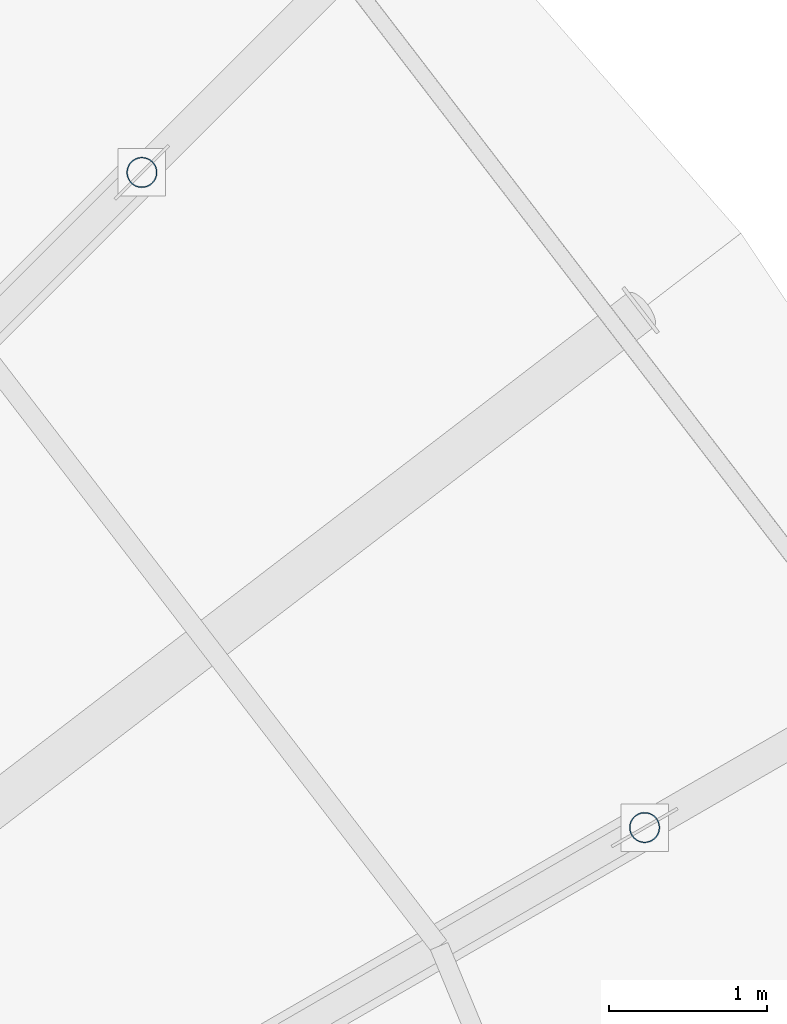
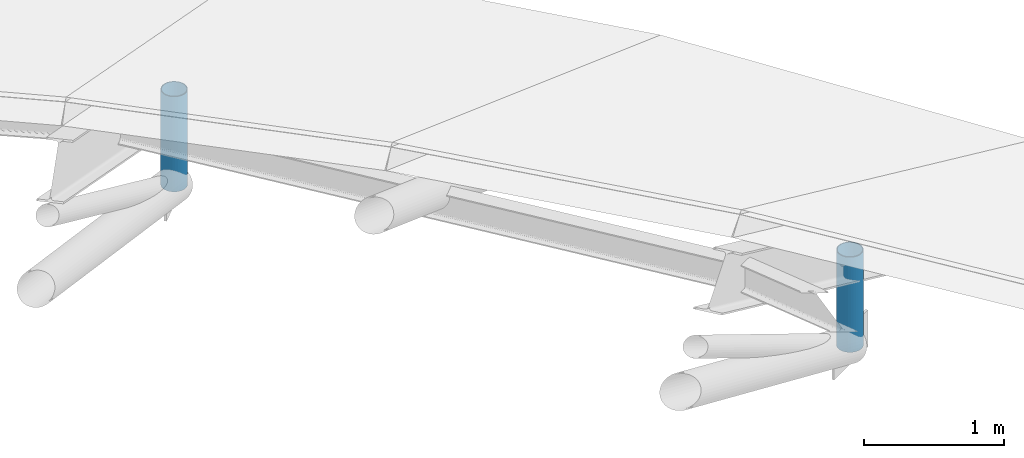
# One storey, part 81 of 107: 2 members.
"""IFC4 building model written with IfcOpenShell, lengths in metres."""

from ifc_helpers import new_model, si_unit, derived_unit, direction, frame, origin, origin_2d, place, context, subcontext, project, spatial, hollow_circle, extrude, material, material_profile, profile_set, type_object, element, save


model = new_model("IFC4")

# Units and contexts
model_context = context("Model", 3, precision=1e-05, world=origin(), true_north=direction((0.0, 1.0)))
body_context = subcontext(model_context, "Body", "Model", "MODEL_VIEW")
ifc_project = project(units=[si_unit("LENGTHUNIT", "METRE"), si_unit("AREAUNIT", "SQUARE_METRE"), si_unit("VOLUMEUNIT", "CUBIC_METRE"), si_unit("PLANEANGLEUNIT", "RADIAN"), si_unit("MASSUNIT", "GRAM", prefix="KILO"), si_unit("THERMODYNAMICTEMPERATUREUNIT", "KELVIN"), si_unit("TIMEUNIT", "SECOND"), derived_unit("THERMALTRANSMITTANCEUNIT", [(si_unit("MASSUNIT", "GRAM", prefix="KILO"), 1), (si_unit("THERMODYNAMICTEMPERATUREUNIT", "KELVIN"), -1), (si_unit("TIMEUNIT", "SECOND"), -3)])], contexts=[model_context])

# Site, building, storey
site_placement = place(None, origin())
site = spatial("IfcSite", under=ifc_project, at=site_placement, CompositionType="ELEMENT")
building_placement = place(site_placement, origin())
building = spatial("IfcBuilding", under=site, at=building_placement, Name="Cambertide Market Hall", CompositionType="ELEMENT")
storey_placement = place(building_placement, frame((0.0, 0.0, 18.300048828125)))
storey = spatial("IfcBuildingStorey", under=building, at=storey_placement, Name="RF", CompositionType="ELEMENT", Elevation=18.300048828125)

# Members
ifc_material = material(Name="Steel S355", Category="steel")
ifc_material_profile = material_profile(ifc_material, hollow_circle(Radius=0.096923828125, WallThickness=0.00634765625, at=origin_2d()), Name="CHS 193.7x6.3")
ifc_profile_set = profile_set([ifc_material_profile], Name="Steel S355")
member_type = type_object("IfcMemberType", Name="Structural Brace CHS 193.7x6.3", PredefinedType="BRACE", material=ifc_profile_set)
for number, where, z_axis, x_axis, name in (
    (1, (122.320556640625, 82.0, -10.380126953125), (0.0, 0.0, 1.0), (1.0, 0.0, 0.0), "RWV-E-16-V3"),
    (2, (119.14208984375, 86.14208984375, -10.380126953125), (0.0, 0.0, 1.0), (1.0, 0.0, 0.0), "RWV-E-18-V3"),
):
    element("IfcMember", number, at=place(storey_placement, frame(where, z_axis=z_axis, x_axis=x_axis)), inside=storey, type_object=member_type, Name=name, PredefinedType="BRACE", context=body_context, shape_type="SweptSolid", body=[
        extrude(hollow_circle(Radius=0.096923828125, WallThickness=0.00634765625, at=origin_2d()), origin(), (0.0, 0.0, 1.0), 0.830078125),
    ])

save(model, "model.ifc")
